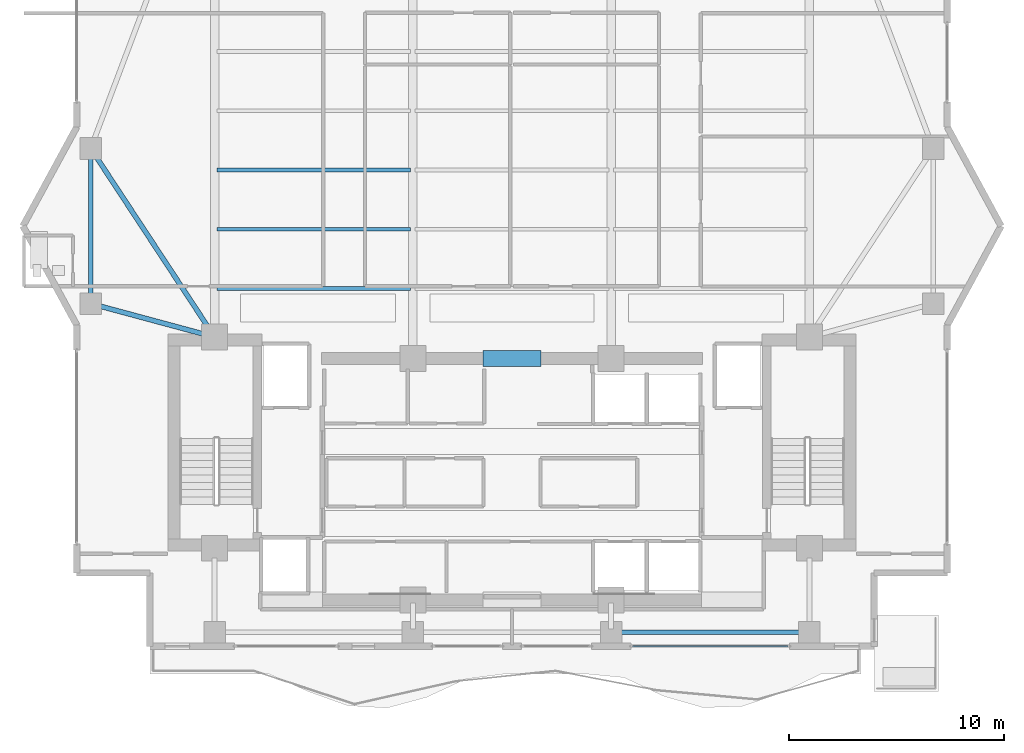
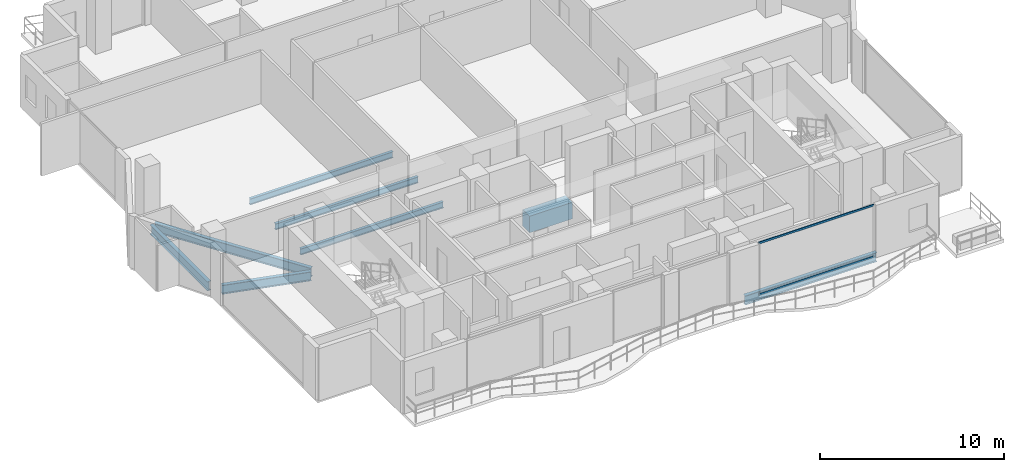
# One storey, part 5 of 25: 8 beams, 2 members, 1 element without a shape of its own.
"""IFC4 building model written with IfcOpenShell, lengths in metres."""

from ifc_helpers import new_model, si_unit, direction, frame, origin, origin_2d, place, context, subcontext, project, spatial, rectangle, hollow_rectangle, i_section, extrude, material, layer, layer_set, material_profile, profile_set, type_object, element, aggregate, save


model = new_model("IFC4")

# Units and contexts
model_context = context("Model", 3, precision=1e-05, world=origin(), true_north=direction((0.0, 1.0)))
body_context = subcontext(model_context, "Body", "Model", "MODEL_VIEW")
ifc_project = project(units=[si_unit("LENGTHUNIT", "METRE"), si_unit("AREAUNIT", "SQUARE_METRE"), si_unit("VOLUMEUNIT", "CUBIC_METRE"), si_unit("PLANEANGLEUNIT", "RADIAN"), si_unit("MASSUNIT", "GRAM", prefix="KILO")], contexts=[model_context])

# Site, building, storey
site_placement = place(None, origin())
site = spatial("IfcSite", under=ifc_project, at=site_placement, CompositionType="ELEMENT")
building_placement = place(site_placement, origin())
building = spatial("IfcBuilding", under=site, at=building_placement, Name="Zuhayl Quay Hotel", CompositionType="ELEMENT")
storey_placement = place(building_placement, frame((0.0, 0.0, 250.75)))
storey = spatial("IfcBuildingStorey", under=building, at=storey_placement, Name="L63", CompositionType="ELEMENT", Elevation=250.75)

# Beams
ifc_material_1 = material(Name="Steel ASTM A992 Grade 50", Category="steel")
ifc_material_profile_1 = material_profile(ifc_material_1, i_section(OverallWidth=0.22802734375, OverallDepth=0.60693359375, WebThickness=0.01123046875, FlangeThickness=0.017333984375, at=origin_2d()), Name="W24X76")
ifc_profile_set_1 = profile_set([ifc_material_profile_1], Name="Steel ASTM A992 Grade 50")
beam_type_1 = type_object("IfcBeamType", Name="BM_B3_W24X76", PredefinedType="BEAM", material=ifc_profile_set_1)
beam_1_placement = place(storey_placement, frame((5.06005859375, 0.64990234375, -0.5234375), z_axis=(1.0, 0.0, 0.0), x_axis=(0.0, 1.0, 0.0)))
element("IfcBeam", 1, at=beam_1_placement, inside=storey, type_object=beam_type_1, Name="L63 Floor Beam RG_L63_03", PredefinedType="BEAM", context=body_context, shape_type="SweptSolid", body=[
    extrude(i_section(OverallWidth=0.22802734375, OverallDepth=0.60693359375, WebThickness=0.01123046875, FlangeThickness=0.017333984375, at=origin_2d()), origin(), (0.0, 0.0, 1.0), 8.280029296875),
])
beam_2_placement = place(storey_placement, frame((-19.550048828125, 22.639892578125, -0.5234375), z_axis=(0.0, -1.0, 0.0), x_axis=(1.0, 0.0, 0.0)))
element("IfcBeam", 2, at=beam_2_placement, inside=storey, type_object=beam_type_1, Name="L63 Floor Beam RG_L63_11", PredefinedType="BEAM", context=body_context, shape_type="SweptSolid", body=[
    extrude(i_section(OverallWidth=0.22802734375, OverallDepth=0.60693359375, WebThickness=0.01123046875, FlangeThickness=0.017333984375, at=origin_2d()), origin(), (0.0, 0.0, 1.0), 6.27978515625),
])
beam_3_placement = place(storey_placement, frame((-19.10595703125, 15.7802734375, -0.5234375), z_axis=(0.965530205773, -0.26029103277, 0.0), x_axis=(0.26029103277, 0.965530205773, 0.0)))
element("IfcBeam", 3, at=beam_3_placement, inside=storey, type_object=beam_type_1, Name="L63 Floor Beam FG_W_L63_1", PredefinedType="BEAM", context=body_context, shape_type="SweptSolid", body=[
    extrude(i_section(OverallWidth=0.22802734375, OverallDepth=0.60693359375, WebThickness=0.01123046875, FlangeThickness=0.017333984375, at=origin_2d()), origin(), (0.0, 0.0, 1.0), 5.045166015625),
])
beam_4_placement = place(storey_placement, frame((-19.29736328125, 22.715576171875, -0.5234375), z_axis=(0.549177886661, -0.835705479701, 0.0), x_axis=(0.835705479701, 0.549177886661, 0.0)))
element("IfcBeam", 4, at=beam_4_placement, inside=storey, type_object=beam_type_1, Name="L63 Floor Beam FG_W_L63_2", PredefinedType="BEAM", context=body_context, shape_type="SweptSolid", body=[
    extrude(i_section(OverallWidth=0.22802734375, OverallDepth=0.60693359375, WebThickness=0.01123046875, FlangeThickness=0.017333984375, at=origin_2d()), origin(), (0.0, 0.0, 1.0), 9.560302734375),
])
ifc_material_2 = material(Name="Concrete C60/75", Category="concrete")
ifc_material_profile_2 = material_profile(ifc_material_2, rectangle(XDim=0.75, YDim=1.10009765625, at=origin_2d()), Name="RC750X1100")
ifc_profile_set_2 = profile_set([ifc_material_profile_2], Name="Concrete C60/75")
beam_type_2 = type_object("IfcBeamType", Name="BM_CB2_RC750", PredefinedType="T_BEAM", material=ifc_profile_set_2)
beam_5_placement = place(storey_placement, frame((-1.35009765625, 13.35009765625, -0.77001953125), z_axis=(1.0, 0.0, 0.0), x_axis=(0.0, 1.0, 0.0)))
element("IfcBeam", 5, at=beam_5_placement, inside=storey, type_object=beam_type_2, Name="L63 Core Coupling Beam North", PredefinedType="T_BEAM", context=body_context, shape_type="SweptSolid", body=[
    extrude(rectangle(XDim=0.75, YDim=1.10009765625, at=origin_2d()), origin(), (0.0, 0.0, 1.0), 2.7001953125),
])
ifc_material_profile_3 = material_profile(ifc_material_1, i_section(OverallWidth=0.177978515625, OverallDepth=0.404052734375, WebThickness=0.007568359375, FlangeThickness=0.010986328125, at=origin_2d()), Name="W16X36")
ifc_profile_set_3 = profile_set([ifc_material_profile_3], Name="Steel ASTM A992 Grade 50")
beam_type_3 = type_object("IfcBeamType", Name="BM_J3_W16X36", PredefinedType="JOIST", material=ifc_profile_set_3)
for number, where, z_axis, x_axis, name in (
    (6, (-13.694091796875, 16.60009765625, -0.422119140625), (1.0, 0.0, 0.0), (0.0, 1.0, 0.0), "L63 Floor Beam FJ_L63_1_1"),
    (7, (-13.694091796875, 19.35009765625, -0.422119140625), (1.0, 0.0, 0.0), (0.0, 1.0, 0.0), "L63 Floor Beam FJ_L63_2_1"),
    (8, (-13.694091796875, 22.10009765625, -0.422119140625), (1.0, 0.0, 0.0), (0.0, 1.0, 0.0), "L63 Floor Beam FJ_L63_3_1"),
):
    element("IfcBeam", number, at=place(storey_placement, frame(where, z_axis=z_axis, x_axis=x_axis)), inside=storey, type_object=beam_type_3, Name=name, PredefinedType="JOIST", context=body_context, shape_type="SweptSolid", body=[
        extrude(i_section(OverallWidth=0.177978515625, OverallDepth=0.404052734375, WebThickness=0.007568359375, FlangeThickness=0.010986328125, at=origin_2d()), origin(), (0.0, 0.0, 1.0), 8.988037109375),
    ])

# Curtain wall, members
ifc_material_3 = material(Name="Anodised Aluminium 6063-T6", Category="aluminium")
ifc_layer = layer(ifc_material_3, 0.169921875, Name="Anodised Aluminium 6063-T6", Category="aluminium")
ifc_layer_set = layer_set([ifc_layer], Name="Anodised Aluminium 6063-T6")
curtain_wall_type = type_object("IfcCurtainWallType", Name="CW_SYS_Z4", PredefinedType="USERDEFINED", material=ifc_layer_set)
curtain_wall_placement = place(storey_placement, origin())
curtain_wall = element("IfcCurtainWall", 9, at=curtain_wall_placement, inside=storey, type_object=curtain_wall_type, Name="L63 Curtain Wall ENV_L63_S_CW1", ObjectType="UNITISED CURTAIN WALL", PredefinedType="USERDEFINED")
ifc_material_4 = material(Name="Black-anodised aluminium 6063-T6", Category="aluminium")
ifc_material_profile_4 = material_profile(ifc_material_4, hollow_rectangle(XDim=0.054931640625, YDim=0.1298828125, WallThickness=0.0029296875, at=origin_2d()), Name="ALU130X55")
ifc_profile_set_4 = profile_set([ifc_material_profile_4], Name="Black-anodised aluminium 6063-T6")
member_type = type_object("IfcMemberType", Name="MB_CW_TRN_130", PredefinedType="USERDEFINED", material=ifc_profile_set_4)
member_1_placement = place(storey_placement, frame((12.81494140625, 0.0, 0.027587890625), z_axis=(-1.0, 0.0, 0.0), x_axis=(0.0, -1.0, 0.0)))
member_1 = element("IfcMember", 10, at=member_1_placement, type_object=member_type, Name="CW-Z4 transom 1.1", ObjectType="TRANSOM", PredefinedType="USERDEFINED", context=body_context, shape_type="SweptSolid", body=[
    extrude(hollow_rectangle(XDim=0.054931640625, YDim=0.1298828125, WallThickness=0.0029296875, at=origin_2d()), origin(), (0.0, 0.0, 1.0), 7.22998046875),
])
member_2_placement = place(storey_placement, frame((12.81494140625, 0.0, 3.452392578125), z_axis=(-1.0, 0.0, 0.0), x_axis=(0.0, -1.0, 0.0)))
member_2 = element("IfcMember", 11, at=member_2_placement, type_object=member_type, Name="CW-Z4 transom 1.2", ObjectType="TRANSOM", PredefinedType="USERDEFINED", context=body_context, shape_type="SweptSolid", body=[
    extrude(hollow_rectangle(XDim=0.054931640625, YDim=0.1298828125, WallThickness=0.0029296875, at=origin_2d()), origin(), (0.0, 0.0, 1.0), 7.22998046875),
])
aggregate(curtain_wall, [member_1, member_2])

save(model, "model.ifc")
